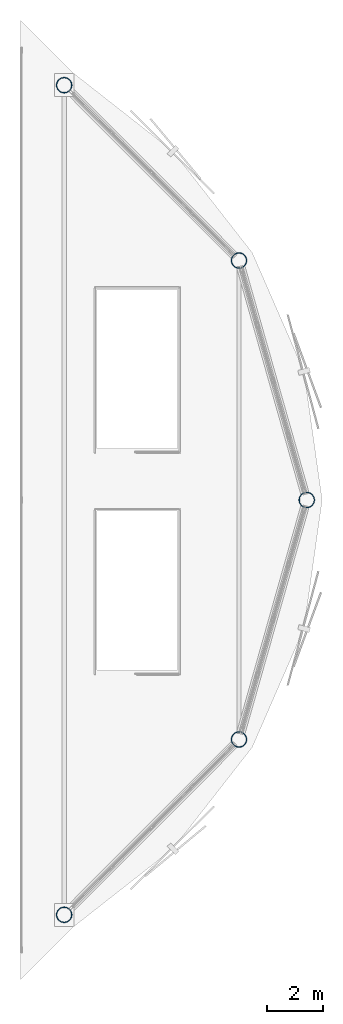
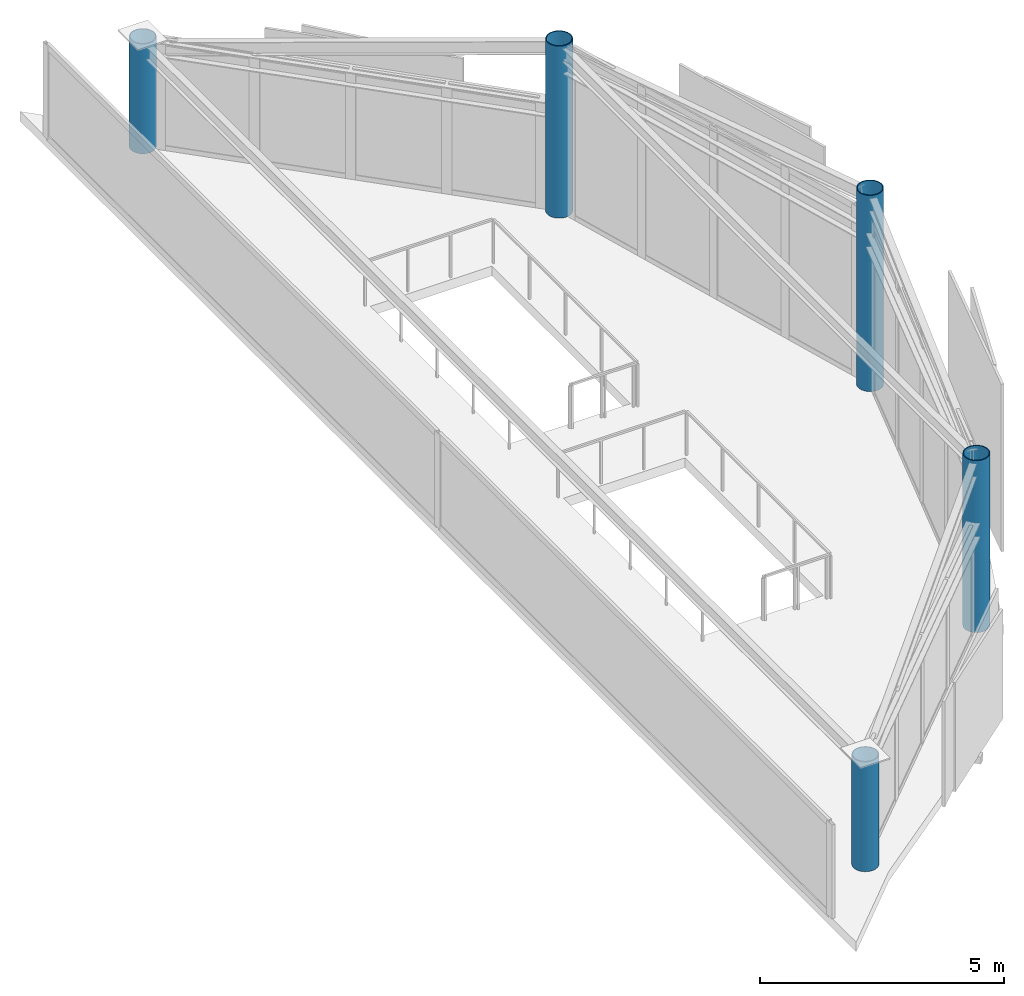
# One storey, part 1 of 6: 5 columns.
"""IFC4 building model written with IfcOpenShell, lengths in metres."""

import ifcopenshell
import ifcopenshell.guid

model = None  # the IFC model being written
_history = None  # IfcOwnerHistory: only IFC2X3 demands one
_inside = {}  # id of a spatial element -> (the spatial element, [elements in it])
_under = {}  # id of a project, library or spatial element -> (it, [spatial elements below it])
_declared = {}  # id of a project -> (the project, [libraries it declares])
_typed = {}  # id of a type object -> (the type object, [elements of that type])
_made_of = {}  # id of a material, layer set ... -> (it, [elements and type objects made of it])


def new_model(schema):
    """Start an empty IFC model of exactly this schema.

    Asked for "IFC4X3", IfcOpenShell would pick the latest addendum, in which some entities
    have other attributes; the version numbers below select the first issue.
    IFC2X3 requires an IfcOwnerHistory on every rooted entity: one is made here for all.
    """
    global model, _history
    if schema == "IFC4X3":
        model = ifcopenshell.file(schema_version=(4, 3, 0, 0))
    else:
        model = ifcopenshell.file(schema=schema)
    _inside.clear()
    _under.clear()
    _declared.clear()
    _typed.clear()
    _made_of.clear()
    _history = None
    if model.schema == "IFC2X3":
        org = make("IfcOrganization", Name="unknown")
        user = make(
            "IfcPersonAndOrganization",
            ThePerson=make("IfcPerson", FamilyName="unknown"),
            TheOrganization=org,
        )
        app = make(
            "IfcApplication",
            ApplicationDeveloper=org,
            Version="unknown",
            ApplicationFullName="unknown",
            ApplicationIdentifier="unknown",
        )
        _history = make(
            "IfcOwnerHistory",
            OwningUser=user,
            OwningApplication=app,
            ChangeAction="ADDED",
            CreationDate=0,
        )
    return model


def make(cls, **values):
    """One entity of the class cls with the attributes given. An attribute that is None is left unset."""
    return model.create_entity(
        cls, **{name: value for name, value in values.items() if value is not None}
    )


def rooted(cls, **values):
    """An entity with a GlobalId (a new one), such as an element, a storey or a relation."""
    return make(cls, GlobalId=ifcopenshell.guid.new(), OwnerHistory=_history, **values)


def si_unit(unit_type, name, prefix=None):
    """IfcSIUnit, for example si_unit("LENGTHUNIT", "METRE", prefix="MILLI")."""
    return make("IfcSIUnit", UnitType=unit_type, Prefix=prefix, Name=name)


def assignment(units):
    """IfcUnitAssignment: the units of a project."""
    return None if units is None else make("IfcUnitAssignment", Units=units)


def point(xyz):
    """IfcCartesianPoint."""
    return None if xyz is None else make("IfcCartesianPoint", Coordinates=xyz)


def direction(xyz):
    """IfcDirection."""
    return None if xyz is None else make("IfcDirection", DirectionRatios=xyz)


def frame(location, z_axis=None, x_axis=None):
    """IfcAxis2Placement3D, a coordinate frame: its origin and axes. An axis left out is left unset."""
    return make(
        "IfcAxis2Placement3D",
        Location=point(location),
        Axis=direction(z_axis),
        RefDirection=direction(x_axis),
    )


def frame_2d(location, x_axis=None):
    """IfcAxis2Placement2D, a coordinate frame in the plane: its origin and x axis."""
    return make(
        "IfcAxis2Placement2D", Location=point(location), RefDirection=direction(x_axis)
    )


def origin():
    """The frame at (0, 0, 0) with its axes left unset."""
    return frame((0.0, 0.0, 0.0))


def origin_2d():
    """The frame at (0, 0) in the plane with its x axis left unset."""
    return frame_2d((0.0, 0.0))


def place(relative_to, where):
    """IfcLocalPlacement: puts the frame where relative to a parent placement (None: the world)."""
    return make(
        "IfcLocalPlacement", PlacementRelTo=relative_to, RelativePlacement=where
    )


def context(
    kind, dimensions, precision=None, world=None, true_north=None, identifier=None
):
    """IfcGeometricRepresentationContext, for example the 3D "Model" context."""
    return make(
        "IfcGeometricRepresentationContext",
        ContextIdentifier=identifier,
        ContextType=kind,
        CoordinateSpaceDimension=dimensions,
        Precision=precision,
        WorldCoordinateSystem=world,
        TrueNorth=true_north,
    )


def subcontext(parent, identifier, kind, view, scale=None):
    """IfcGeometricRepresentationSubContext, for example "Body" below "Model"."""
    return make(
        "IfcGeometricRepresentationSubContext",
        ContextIdentifier=identifier,
        ContextType=kind,
        ParentContext=parent,
        TargetScale=scale,
        TargetView=view,
    )


def project(units=None, contexts=None):
    """IfcProject with its units and contexts."""
    return rooted(
        "IfcProject",
        Name="project",
        RepresentationContexts=contexts,
        UnitsInContext=assignment(units),
    )


def spatial(cls, under=None, at=None, **own):
    """A site, building, storey or space (cls), placed at a placement, below another one or the project."""
    s = rooted(cls, ObjectPlacement=at, **own)
    if under is not None:
        _under.setdefault(under.id(), (under, []))[1].append(s)
    return s


def profile(cls, at=None, kind="AREA", **sizes):
    """A parametric profile (cls). Its sizes go by their IFC names, for example OverallWidth=200.0."""
    return make(cls, ProfileType=kind, Position=at, **sizes)


def hollow_circle(**sizes):
    """IfcCircleHollowProfileDef."""
    return profile("IfcCircleHollowProfileDef", **sizes)


def extrude(swept, where, along, depth):
    """IfcExtrudedAreaSolid: the profile swept, set in the frame where, extruded along a direction by depth."""
    return make(
        "IfcExtrudedAreaSolid",
        SweptArea=swept,
        Position=where,
        ExtrudedDirection=direction(along),
        Depth=depth,
    )


def shape(context_of_items, identifier, shape_type, items):
    """IfcShapeRepresentation: the items that make up one representation, for example the "Body"."""
    return make(
        "IfcShapeRepresentation",
        ContextOfItems=context_of_items,
        RepresentationIdentifier=identifier,
        RepresentationType=shape_type,
        Items=items,
    )


def material(Name=None, Category=None):
    """IfcMaterial."""
    return make("IfcMaterial", Name=Name, Category=Category)


def material_profile(
    of_material, cross_section, Name=None, Category=None, Priority=None
):
    """IfcMaterialProfile: a cross section and its material."""
    return make(
        "IfcMaterialProfile",
        Name=Name,
        Material=of_material,
        Profile=cross_section,
        Priority=Priority,
        Category=Category,
    )


def profile_set(profiles, Name=None, composite=None):
    """IfcMaterialProfileSet."""
    return make(
        "IfcMaterialProfileSet",
        Name=Name,
        MaterialProfiles=profiles,
        CompositeProfile=composite,
    )


def made_of(thing, what):
    """Note that an element or type object is made of a material, layer set ...; save() writes the relation."""
    if what is not None:
        _made_of.setdefault(what.id(), (what, []))[1].append(thing)
    return thing


def type_object(cls, material=None, **own):
    """A type object (cls), such as IfcWallType, which elements share."""
    return made_of(rooted(cls, **own), material)


def element(
    cls,
    number,
    at=None,
    inside=None,
    cuts=None,
    type_object=None,
    material=None,
    context=None,
    identifier="Body",
    shape_type=None,
    held_by="IfcProductDefinitionShape",
    body=None,
    shapes=None,
    **own,
):
    """One element of the class cls, such as IfcWall. Its Tag is "e" and its number.

    at: its placement. inside: the storey or other place that contains it. cuts: it is an
    opening in that element (IfcRelVoidsElement). A single representation is given by context,
    identifier, shape_type and body (its items); several are given by shapes. held_by: the class
    of the entity that holds the representations. save() writes the other relations.
    """
    e = rooted(cls, Tag="e%d" % number, ObjectPlacement=at, **own)
    if body is not None:
        shapes = [shape(context, identifier, shape_type, body)]
    if shapes is not None:
        e.Representation = make(held_by, Representations=shapes)
    if inside is not None:
        _inside.setdefault(inside.id(), (inside, []))[1].append(e)
    if cuts is not None:
        rooted(
            "IfcRelVoidsElement", RelatingBuildingElement=cuts, RelatedOpeningElement=e
        )
    if type_object is not None:
        _typed.setdefault(type_object.id(), (type_object, []))[1].append(e)
    return made_of(e, material)


def aggregate(whole, parts):
    """IfcRelAggregates: a whole, such as a stair, and the parts it consists of."""
    return rooted("IfcRelAggregates", RelatingObject=whole, RelatedObjects=parts)


def save(model, path):
    """Write the relations noted so far, then the file.

    IfcRelAggregates (storeys below a building ...), IfcRelContainedInSpatialStructure (elements
    in a storey), IfcRelDefinesByType, IfcRelAssociatesMaterial and IfcRelDeclares: one each for
    every whole, place, type object, material and project.
    """
    for whole, parts in _under.values():
        aggregate(whole, parts)
    for where, things in _inside.values():
        rooted(
            "IfcRelContainedInSpatialStructure",
            RelatedElements=things,
            RelatingStructure=where,
        )
    for kind, things in _typed.values():
        rooted("IfcRelDefinesByType", RelatedObjects=things, RelatingType=kind)
    for what, things in _made_of.values():
        rooted("IfcRelAssociatesMaterial", RelatedObjects=things, RelatingMaterial=what)
    for by, libraries in _declared.values():
        rooted("IfcRelDeclares", RelatingContext=by, RelatedDefinitions=libraries)
    model.write(path)


model = new_model("IFC4")

# Units and contexts
model_context = context("Model", 3, precision=1e-05, world=origin(), true_north=direction((0.0, 1.0)))
body_context = subcontext(model_context, "Body", "Model", "MODEL_VIEW")
ifc_project = project(units=[si_unit("LENGTHUNIT", "METRE"), si_unit("AREAUNIT", "SQUARE_METRE"), si_unit("VOLUMEUNIT", "CUBIC_METRE"), si_unit("PLANEANGLEUNIT", "RADIAN"), si_unit("MASSUNIT", "GRAM", prefix="KILO")], contexts=[model_context])

# Site, building, storey
site_placement = place(None, origin())
site = spatial("IfcSite", under=ifc_project, at=site_placement, CompositionType="ELEMENT")
building_placement = place(site_placement, origin())
building = spatial("IfcBuilding", under=site, at=building_placement, Name="Varnakorn Sky Granary", CompositionType="ELEMENT")
storey_placement = place(building_placement, frame((0.0, 0.0, 319.199951171875)))
storey = spatial("IfcBuildingStorey", under=building, at=storey_placement, Name="L81", CompositionType="ELEMENT", Elevation=319.199951171875)

# Columns
ifc_material = material(Name="Steel S460M", Category="steel")
ifc_material_profile = material_profile(ifc_material, hollow_circle(Radius=0.279541015625, WallThickness=0.02001953125, at=origin_2d()), Name="CHS 559x20")
ifc_profile_set = profile_set([ifc_material_profile], Name="Steel S460M")
column_type = type_object("IfcColumnType", Name="COL-DC-Z5", PredefinedType="COLUMN", material=ifc_profile_set)
column_1_placement = place(storey_placement, frame((22.0, 0.0, 0.0), z_axis=(0.0, 0.0, 1.0), x_axis=(1.0, 0.0, 0.0)))
element("IfcColumn", 1, at=column_1_placement, inside=storey, type_object=column_type, Name="Drum Perimeter Column DC01 L81", PredefinedType="COLUMN", context=body_context, shape_type="SweptSolid", body=[
    extrude(hollow_circle(Radius=0.279541015625, WallThickness=0.02001953125, at=origin_2d()), origin(), (0.0, 0.0, 1.0), 4.89794921875),
])
column_2_placement = place(storey_placement, frame((19.58544921875, 8.532470703125, 0.0), z_axis=(0.0, 0.0, 1.0), x_axis=(1.0, 0.0, 0.0)))
element("IfcColumn", 2, at=column_2_placement, inside=storey, type_object=column_type, Name="Drum Perimeter Column DC02 L81", PredefinedType="COLUMN", context=body_context, shape_type="SweptSolid", body=[
    extrude(hollow_circle(Radius=0.279541015625, WallThickness=0.02001953125, at=origin_2d()), origin(), (0.0, 0.0, 1.0), 4.2958984375),
])
for number, where, z_axis, x_axis, name in (
    (3, (13.357421875, 14.77880859375, 0.0), (0.0, 0.0, 1.0), (1.0, 0.0, 0.0), "Drum Perimeter Column DC03 L81"),
    (4, (13.357421875, -14.77880859375, 0.0), (0.0, 0.0, 1.0), (1.0, 0.0, 0.0), "Drum Perimeter Column DC11 L81"),
):
    element("IfcColumn", number, at=place(storey_placement, frame(where, z_axis=z_axis, x_axis=x_axis)), inside=storey, type_object=column_type, Name=name, PredefinedType="COLUMN", context=body_context, shape_type="SweptSolid", body=[
        extrude(hollow_circle(Radius=0.279541015625, WallThickness=0.02001953125, at=origin_2d()), origin(), (0.0, 0.0, 1.0), 2.7431640625),
    ])
column_3_placement = place(storey_placement, frame((19.58544921875, -8.532470703125, 0.0), z_axis=(0.0, 0.0, 1.0), x_axis=(1.0, 0.0, 0.0)))
element("IfcColumn", 5, at=column_3_placement, inside=storey, type_object=column_type, Name="Drum Perimeter Column DC12 L81", PredefinedType="COLUMN", context=body_context, shape_type="SweptSolid", body=[
    extrude(hollow_circle(Radius=0.279541015625, WallThickness=0.02001953125, at=origin_2d()), origin(), (0.0, 0.0, 1.0), 4.2958984375),
])

save(model, "model.ifc")
